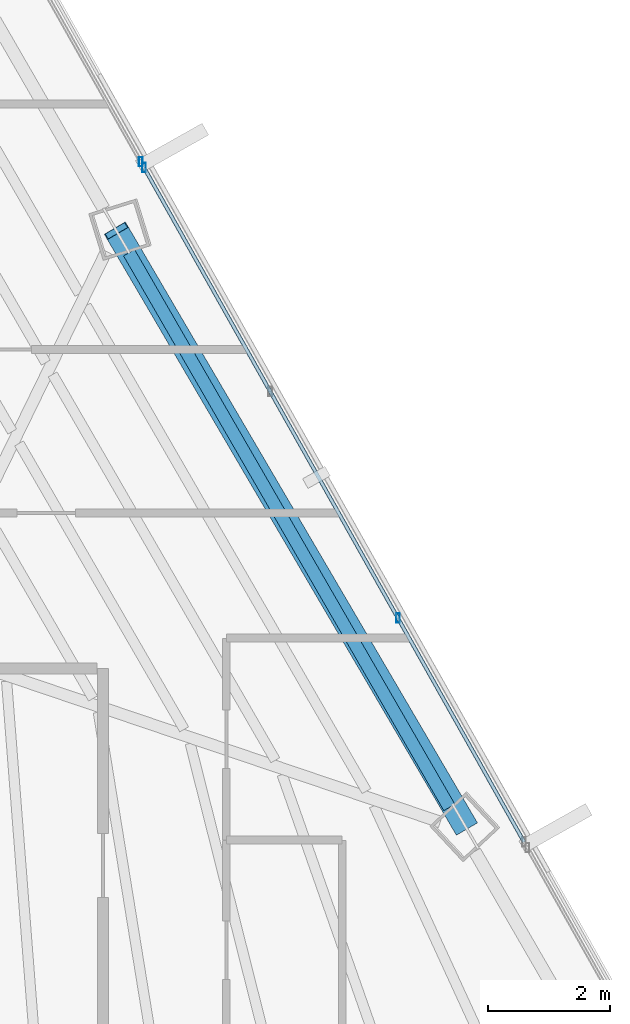
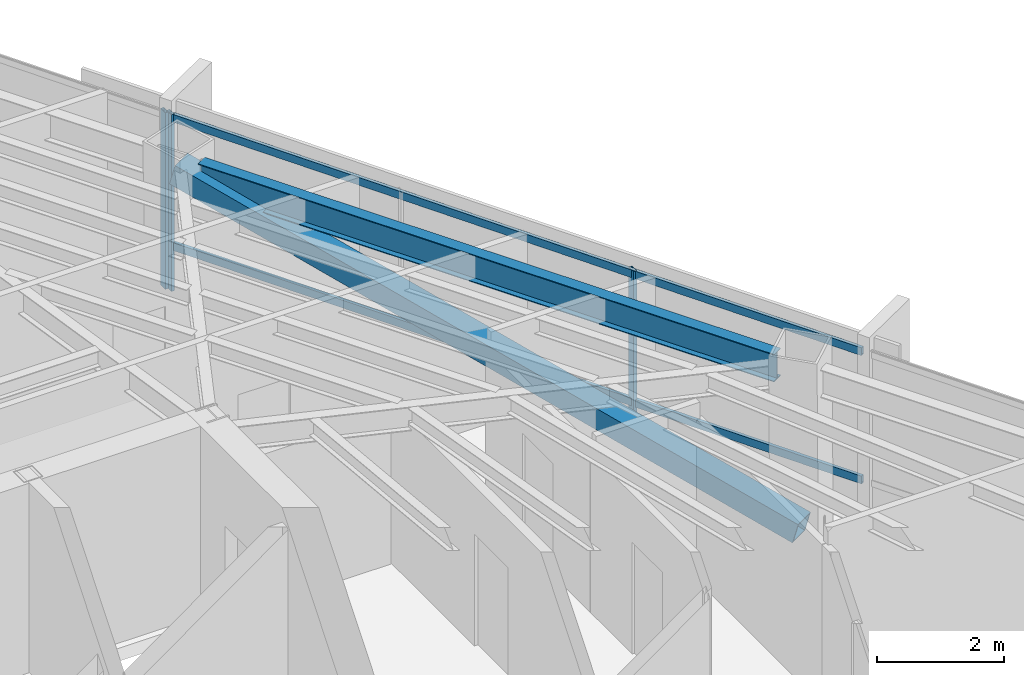
# One storey, part 27 of 44: 6 members, 1 beam, 2 elements without a shape of their own.
"""IFC4 building model written with IfcOpenShell, lengths in metres."""

from ifc_helpers import new_model, si_unit, direction, frame, origin, origin_2d, place, context, subcontext, project, spatial, hollow_rectangle, i_section, extrude, source, transform, mapped, material, material_profile, profile_set, type_object, type_shapes, element, aggregate, save


model = new_model("IFC4")

# Units and contexts
model_context = context("Model", 3, precision=1e-05, world=origin(), true_north=direction((0.0, 1.0)))
body_context = subcontext(model_context, "Body", "Model", "MODEL_VIEW")
ifc_project = project(units=[si_unit("LENGTHUNIT", "METRE"), si_unit("AREAUNIT", "SQUARE_METRE"), si_unit("VOLUMEUNIT", "CUBIC_METRE"), si_unit("PLANEANGLEUNIT", "RADIAN"), si_unit("MASSUNIT", "GRAM", prefix="KILO")], contexts=[model_context])

# Site, building, storey
site_placement = place(None, origin())
site = spatial("IfcSite", under=ifc_project, at=site_placement, CompositionType="ELEMENT")
building_placement = place(site_placement, origin())
building = spatial("IfcBuilding", under=site, at=building_placement, Name="Caelisora Broadcast Tower", CompositionType="ELEMENT")
storey_placement = place(building_placement, frame((0.0, 0.0, 198.64990234375)))
storey = spatial("IfcBuildingStorey", under=building, at=storey_placement, Name="L52", CompositionType="ELEMENT", Elevation=198.64990234375)

# Beam
ifc_material_1 = material(Name="Steel Grade 350 (AS/NZS 3679.1)", Category="steel")
ifc_material_profile_1 = material_profile(ifc_material_1, i_section(OverallWidth=0.208984375, OverallDepth=0.532958984375, WebThickness=0.01025390625, FlangeThickness=0.015625, at=origin_2d()), Name="Steel Grade 350 (AS/NZS 3679.1)")
ifc_profile_set_1 = profile_set([ifc_material_profile_1], Name="Steel Grade 350 (AS/NZS 3679.1)")
beam_type = type_object("IfcBeamType", Name="PG05", PredefinedType="BEAM", material=ifc_profile_set_1)
shared_shape_1 = source(origin(), body_context, "Body", "SweptSolid", [
    extrude(i_section(OverallWidth=0.208984375, OverallDepth=0.532958984375, WebThickness=0.01025390625, FlangeThickness=0.015625, at=origin_2d()), origin(), (0.0, 0.0, 1.0), 10.491455078125),
])
type_shapes(beam_type, [shared_shape_1])
beam_placement = place(storey_placement, frame((54.25390625, 27.326904296875, 3.133544921875), z_axis=(-0.500015877441, 0.866016236746, 0.0), x_axis=(-0.866016236746, -0.500015877441, 0.0)))
element("IfcBeam", 1, at=beam_placement, inside=storey, type_object=beam_type, Name="L52 beam PG05", PredefinedType="BEAM", context=body_context, shape_type="MappedRepresentation", body=[
    mapped(shared_shape_1, transform((0.0, 0.0, 0.0), scale=1.0)),
])

# Member
ifc_material_2 = material(Name="Steel Grade 450 (AS/NZS 1163 C450L0)", Category="steel")
ifc_material_profile_2 = material_profile(ifc_material_2, hollow_rectangle(XDim=0.39990234375, YDim=0.39990234375, WallThickness=0.01611328125, at=origin_2d()), Name="Steel Grade 450 (AS/NZS 1163 C450L0)")
ifc_profile_set_2 = profile_set([ifc_material_profile_2], Name="Steel Grade 450 (AS/NZS 1163 C450L0)")
member_type_1 = type_object("IfcMemberType", Name="BR04", PredefinedType="BRACE", material=ifc_profile_set_2)
shared_shape_2 = source(origin(), body_context, "Body", "SweptSolid", [
    extrude(hollow_rectangle(XDim=0.39990234375, YDim=0.39990234375, WallThickness=0.01611328125, at=origin_2d()), origin(), (0.0, 0.0, 1.0), 11.6982421875),
])
type_shapes(member_type_1, [shared_shape_2])
member_1_placement = place(storey_placement, frame((54.51611328125, 27.01708984375, 0.10009765625), z_axis=(-0.488623581624, 0.833955423128, 0.256447553539), x_axis=(-0.862809366804, -0.505529422047, 0.0)))
element("IfcMember", 2, at=member_1_placement, inside=storey, type_object=member_type_1, Name="L52 perimeter brace BR04", PredefinedType="BRACE", context=body_context, shape_type="MappedRepresentation", body=[
    mapped(shared_shape_2, transform((0.0, 0.0, 0.0), scale=1.0)),
])

# Curtain wall, member
ifc_material_3 = material(Name="Unitised Aluminium and Low-E Glass Curtain Wall", Category="glass")
curtain_wall_type_1 = type_object("IfcCurtainWallType", Name="CW-Z4", PredefinedType="NOTDEFINED", material=ifc_material_3)
curtain_wall_1_placement = place(storey_placement, origin())
curtain_wall_1 = element("IfcCurtainWall", 3, at=curtain_wall_1_placement, inside=storey, type_object=curtain_wall_type_1, Name="L52 curtain wall CW-Z4", PredefinedType="NOTDEFINED")
ifc_material_4 = material(Name="Aluminium 6063-T6 Anodised Terracotta Bronze", Category="aluminium")
ifc_material_profile_3 = material_profile(ifc_material_4, hollow_rectangle(XDim=0.06005859375, YDim=0.14990234375, WallThickness=0.00341796875, at=origin_2d()), Name="Aluminium 6063-T6 Anodised Terracotta Bronze")
ifc_profile_set_3 = profile_set([ifc_material_profile_3], Name="Aluminium 6063-T6 Anodised Terracotta Bronze")
member_type_2 = type_object("IfcMemberType", Name="CWM-03", PredefinedType="MULLION", material=ifc_profile_set_3)
shared_shape_3 = source(origin(), body_context, "Body", "SweptSolid", [
    extrude(hollow_rectangle(XDim=0.06005859375, YDim=0.14990234375, WallThickness=0.00341796875, at=origin_2d()), origin(), (0.0, 0.0, 1.0), 3.400146484375),
])
type_shapes(member_type_2, [shared_shape_3])
member_2_placement = place(storey_placement, frame((49.198486328125, 37.903564453125, 0.0), z_axis=(0.0, 0.0, 1.0), x_axis=(1.0, 0.0, 0.0)))
member_2 = element("IfcMember", 4, at=member_2_placement, type_object=member_type_2, Name="L52-CW-B01 mullion #3", PredefinedType="MULLION", context=body_context, shape_type="MappedRepresentation", body=[
    mapped(shared_shape_3, transform((0.0, 0.0, 0.0), scale=1.0)),
])
aggregate(curtain_wall_1, [member_2])

# Curtain wall, members
ifc_material_5 = material(Name="Unitised Aluminium Insulated Shadow-Box Spandrel Curtain Wall", Category="aluminium")
curtain_wall_type_2 = type_object("IfcCurtainWallType", Name="CW-SP2", PredefinedType="NOTDEFINED", material=ifc_material_5)
curtain_wall_2_placement = place(storey_placement, origin())
curtain_wall_2 = element("IfcCurtainWall", 5, at=curtain_wall_2_placement, inside=storey, type_object=curtain_wall_type_2, Name="L52 curtain wall CW-SP2", PredefinedType="NOTDEFINED")
member_3_placement = place(storey_placement, frame((49.25244140625, 37.807861328125, 0.0), z_axis=(0.0, 0.0, 1.0), x_axis=(1.0, 0.0, 0.0)))
member_3 = element("IfcMember", 6, at=member_3_placement, type_object=member_type_2, Name="L52-CW-B02 mullion #0", PredefinedType="MULLION", context=body_context, shape_type="MappedRepresentation", body=[
    mapped(shared_shape_3, transform((0.0, 0.0, 0.0), scale=1.0)),
])
member_4_placement = place(storey_placement, frame((53.410888671875, 30.428955078125, 0.0), z_axis=(0.0, 0.0, 1.0), x_axis=(1.0, 0.0, 0.0)))
member_4 = element("IfcMember", 7, at=member_4_placement, type_object=member_type_2, Name="L52-CW-B02 mullion #2", PredefinedType="MULLION", context=body_context, shape_type="MappedRepresentation", body=[
    mapped(shared_shape_3, transform((0.0, 0.0, 0.0), scale=1.0)),
])
ifc_material_profile_4 = material_profile(ifc_material_4, hollow_rectangle(XDim=0.06005859375, YDim=0.14990234375, WallThickness=0.00341796875, at=origin_2d()), Name="Aluminium 6063-T6 Anodised Terracotta Bronze")
ifc_profile_set_4 = profile_set([ifc_material_profile_4], Name="Aluminium 6063-T6 Anodised Terracotta Bronze")
member_type_3 = type_object("IfcMemberType", Name="CWT-02", PredefinedType="USERDEFINED", material=ifc_profile_set_4)
shared_shape_4 = source(origin(), body_context, "Body", "SweptSolid", [
    extrude(hollow_rectangle(XDim=0.06005859375, YDim=0.14990234375, WallThickness=0.00341796875, at=origin_2d()), origin(), (0.0, 0.0, 1.0), 12.679931640625),
])
type_shapes(member_type_3, [shared_shape_4])
member_5_placement = place(storey_placement, frame((49.25244140625, 37.807861328125, 0.85009765625), z_axis=(0.49095673992, -0.871183952749, 0.0), x_axis=(0.871183952749, 0.49095673992, 0.0)))
member_5 = element("IfcMember", 8, at=member_5_placement, type_object=member_type_3, Name="L52-CW-B02 transom #1", ObjectType="TRANSOM", PredefinedType="USERDEFINED", context=body_context, shape_type="MappedRepresentation", body=[
    mapped(shared_shape_4, transform((0.0, 0.0, 0.0), scale=1.0)),
])
member_6_placement = place(storey_placement, frame((49.25244140625, 37.807861328125, 3.320068359375), z_axis=(0.49095673992, -0.871183952749, 0.0), x_axis=(0.871183952749, 0.49095673992, 0.0)))
member_6 = element("IfcMember", 9, at=member_6_placement, type_object=member_type_3, Name="L52-CW-B02 transom #2", ObjectType="TRANSOM", PredefinedType="USERDEFINED", context=body_context, shape_type="MappedRepresentation", body=[
    mapped(shared_shape_4, transform((0.0, 0.0, 0.0), scale=1.0)),
])
aggregate(curtain_wall_2, [member_3, member_4, member_5, member_6])

save(model, "model.ifc")
